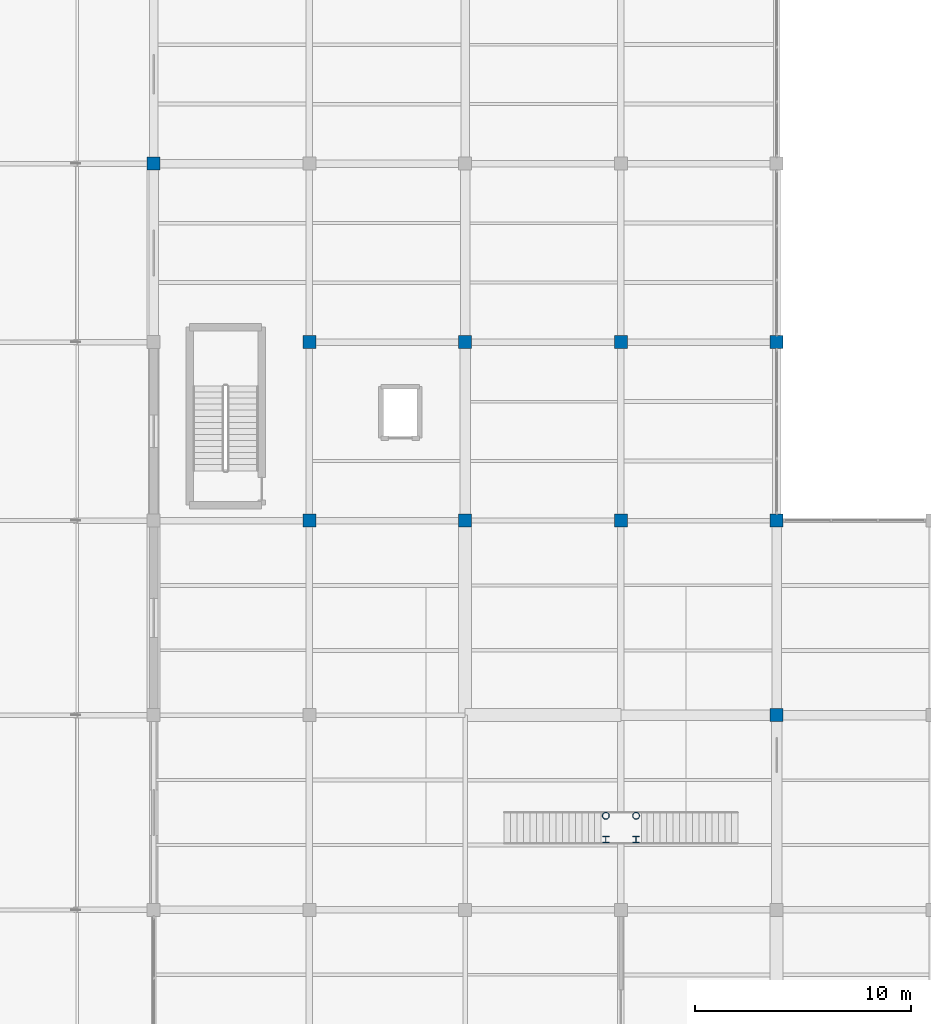
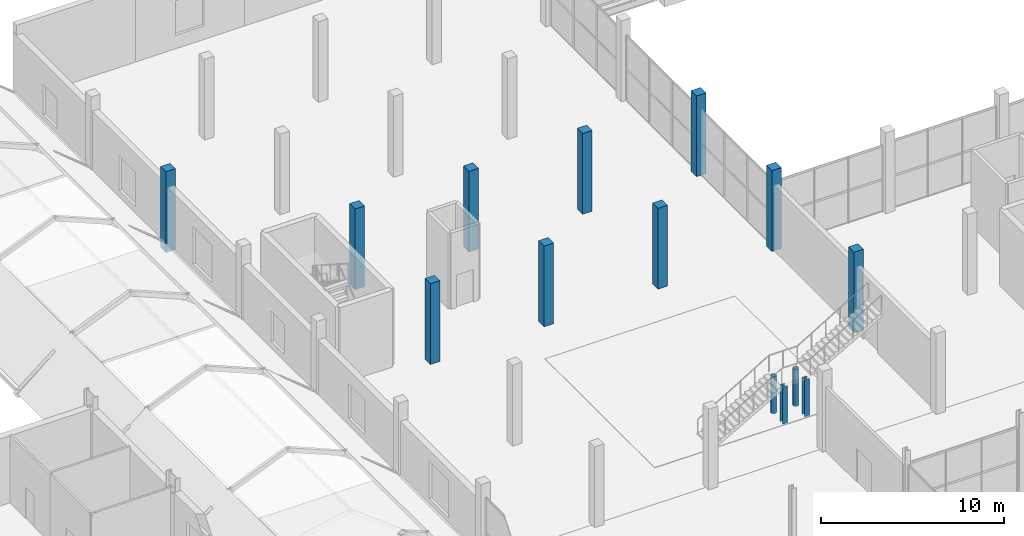
# One storey, part 7 of 141: 14 columns.
"""IFC4 building model written with IfcOpenShell, lengths in metres."""

from ifc_helpers import new_model, si_unit, direction, frame, origin, origin_2d, place, context, subcontext, project, spatial, rectangle, hollow_circle, i_section, extrude, material, material_profile, profile_set, type_object, element, save


model = new_model("IFC4")

# Units and contexts
model_context = context("Model", 3, precision=1e-05, world=origin(), true_north=direction((0.0, 1.0)))
body_context = subcontext(model_context, "Body", "Model", "MODEL_VIEW")
ifc_project = project(units=[si_unit("LENGTHUNIT", "METRE"), si_unit("AREAUNIT", "SQUARE_METRE"), si_unit("VOLUMEUNIT", "CUBIC_METRE"), si_unit("PLANEANGLEUNIT", "RADIAN"), si_unit("MASSUNIT", "GRAM", prefix="KILO")], contexts=[model_context])

# Site, building, storey
site_placement = place(None, origin())
site = spatial("IfcSite", under=ifc_project, at=site_placement, CompositionType="ELEMENT")
building_placement = place(site_placement, origin())
building = spatial("IfcBuilding", under=site, at=building_placement, Name="Sundgate Opera House", CompositionType="ELEMENT")
storey_placement = place(building_placement, frame((0.0, 0.0, 11.39990234375)))
storey = spatial("IfcBuildingStorey", under=building, at=storey_placement, Name="L02", CompositionType="ELEMENT", Elevation=11.39990234375)

# Columns
ifc_material_1 = material(Name="Steel S355J2", Category="steel")
ifc_material_profile_1 = material_profile(ifc_material_1, hollow_circle(Radius=0.161865234375, WallThickness=0.01611328125, at=origin_2d()), Name="CHS 323.9x16.0")
ifc_profile_set_1 = profile_set([ifc_material_profile_1], Name="Steel S355J2")
column_type_1 = type_object("IfcColumnType", Name="CL-CHS-324", PredefinedType="COLUMN", material=ifc_profile_set_1)
for number, where, z_axis, x_axis, name in (
    (1, (116.300048828125, 73.35009765625, 0.0), (0.0, 0.0, 1.0), (1.0, 0.0, 0.0), "Orchestra Observation Gallery Straight Stair Landing Post C"),
    (2, (117.699951171875, 73.35009765625, 0.0), (0.0, 0.0, 1.0), (1.0, 0.0, 0.0), "Orchestra Observation Gallery Straight Stair Landing Post D"),
):
    element("IfcColumn", number, at=place(storey_placement, frame(where, z_axis=z_axis, x_axis=x_axis)), inside=storey, type_object=column_type_1, Name=name, PredefinedType="COLUMN", context=body_context, shape_type="SweptSolid", body=[
        extrude(hollow_circle(Radius=0.161865234375, WallThickness=0.01611328125, at=origin_2d()), origin(), (0.0, 0.0, 1.0), 2.47998046875),
    ])
ifc_material_2 = material(Name="Concrete C35/45", Category="concrete")
ifc_material_profile_2 = material_profile(ifc_material_2, rectangle(XDim=0.60009765625, YDim=0.60009765625, at=origin_2d()), Name="RC 600x600")
ifc_profile_set_2 = profile_set([ifc_material_profile_2], Name="Concrete C35/45")
column_type_2 = type_object("IfcColumnType", Name="CL-RC-600", PredefinedType="COLUMN", material=ifc_profile_set_2)
for number, where, z_axis, x_axis, name in (
    (3, (95.39990234375, 103.5, 0.0), (0.0, 0.0, 1.0), (1.0, 0.0, 0.0), "L02 Column C0683"),
    (4, (102.60009765625, 87.0, 0.0), (0.0, 0.0, 1.0), (1.0, 0.0, 0.0), "L02 Column C0735"),
    (5, (102.60009765625, 95.25, 0.0), (0.0, 0.0, 1.0), (1.0, 0.0, 0.0), "L02 Column C0741"),
    (6, (109.800048828125, 87.0, 0.0), (0.0, 0.0, 1.0), (1.0, 0.0, 0.0), "L02 Column C0796"),
    (7, (109.800048828125, 95.25, 0.0), (0.0, 0.0, 1.0), (1.0, 0.0, 0.0), "L02 Column C0802"),
    (8, (117.0, 87.0, 0.0), (0.0, 0.0, 1.0), (1.0, 0.0, 0.0), "L02 Column C0860"),
    (9, (117.0, 95.25, 0.0), (0.0, 0.0, 1.0), (1.0, 0.0, 0.0), "L02 Column C0866"),
    (10, (124.199951171875, 78.0, 0.0), (0.0, 0.0, 1.0), (1.0, 0.0, 0.0), "L02 Column C0917"),
    (11, (124.199951171875, 87.0, 0.0), (0.0, 0.0, 1.0), (1.0, 0.0, 0.0), "L02 Column C0923"),
    (12, (124.199951171875, 95.25, 0.0), (0.0, 0.0, 1.0), (1.0, 0.0, 0.0), "L02 Column C0929"),
):
    element("IfcColumn", number, at=place(storey_placement, frame(where, z_axis=z_axis, x_axis=x_axis)), inside=storey, type_object=column_type_2, Name=name, PredefinedType="COLUMN", context=body_context, shape_type="SweptSolid", body=[
        extrude(rectangle(XDim=0.60009765625, YDim=0.60009765625, at=origin_2d()), origin(), (0.0, 0.0, 1.0), 5.400146484375),
    ])
ifc_material_3 = material(Name="Steel S355J2", Category="steel")
ifc_material_profile_3 = material_profile(ifc_material_3, i_section(OverallWidth=0.300048828125, OverallDepth=0.300048828125, WebThickness=0.010986328125, FlangeThickness=0.01904296875, at=origin_2d()), Name="HEB 300")
ifc_profile_set_3 = profile_set([ifc_material_profile_3], Name="Steel S355J2")
column_type_3 = type_object("IfcColumnType", Name="CL-STL-300", PredefinedType="COLUMN", material=ifc_profile_set_3)
for number, where, z_axis, x_axis, name in (
    (13, (116.300048828125, 72.25, 0.0), (0.0, 0.0, 1.0), (1.0, 0.0, 0.0), "Orchestra Observation Gallery Straight Stair Landing Post A"),
    (14, (117.699951171875, 72.25, 0.0), (0.0, 0.0, 1.0), (1.0, 0.0, 0.0), "Orchestra Observation Gallery Straight Stair Landing Post B"),
):
    element("IfcColumn", number, at=place(storey_placement, frame(where, z_axis=z_axis, x_axis=x_axis)), inside=storey, type_object=column_type_3, Name=name, PredefinedType="COLUMN", context=body_context, shape_type="SweptSolid", body=[
        extrude(i_section(OverallWidth=0.300048828125, OverallDepth=0.300048828125, WebThickness=0.010986328125, FlangeThickness=0.01904296875, at=origin_2d()), origin(), (0.0, 0.0, 1.0), 2.47998046875),
    ])

save(model, "model.ifc")
